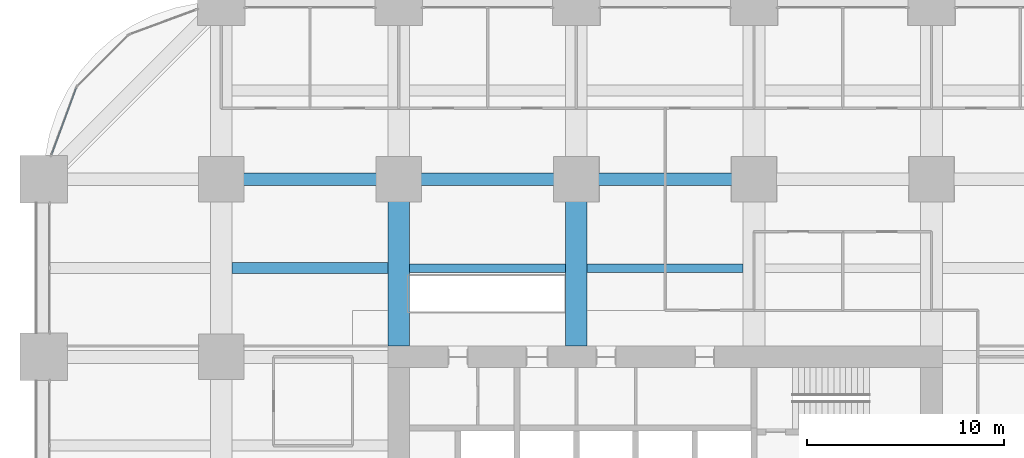
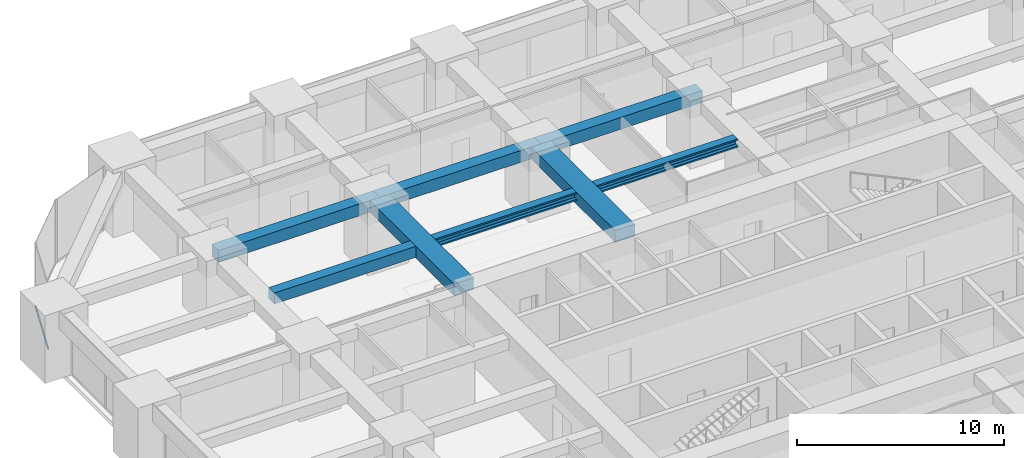
# One storey, part 26 of 44: 8 beams, 1 member, 1 element without a shape of its own.
"""IFC4 building model written with IfcOpenShell, lengths in metres."""

from ifc_helpers import new_model, si_unit, direction, frame, origin, origin_2d, place, context, subcontext, project, spatial, rectangle, hollow_rectangle, i_section, extrude, material, material_profile, profile_set, type_object, element, aggregate, save


model = new_model("IFC4")

# Units and contexts
model_context = context("Model", 3, precision=1e-05, world=origin(), true_north=direction((0.0, 1.0)))
body_context = subcontext(model_context, "Body", "Model", "MODEL_VIEW")
ifc_project = project(units=[si_unit("LENGTHUNIT", "METRE"), si_unit("AREAUNIT", "SQUARE_METRE"), si_unit("VOLUMEUNIT", "CUBIC_METRE"), si_unit("PLANEANGLEUNIT", "RADIAN"), si_unit("MASSUNIT", "GRAM", prefix="KILO")], contexts=[model_context])

# Site, building, storey
site_placement = place(None, origin())
site = spatial("IfcSite", under=ifc_project, at=site_placement, CompositionType="ELEMENT")
building_placement = place(site_placement, origin())
building = spatial("IfcBuilding", under=site, at=building_placement, Name="Zorevar Civic Tower", CompositionType="ELEMENT")
storey_placement = place(building_placement, frame((0.0, 0.0, 43.800048828125)))
storey = spatial("IfcBuildingStorey", under=building, at=storey_placement, Name="L10", CompositionType="ELEMENT", Elevation=43.800048828125)

# Beams
ifc_material_1 = material(Name="Concrete C50/60", Category="concrete")
ifc_material_profile_1 = material_profile(ifc_material_1, rectangle(XDim=1.10009765625, YDim=0.699951171875, at=origin_2d()), Name="RC 1100x700")
ifc_profile_set_1 = profile_set([ifc_material_profile_1], Name="Concrete C50/60")
beam_type_1 = type_object("IfcBeamType", Name="Beam RC 1100x700", PredefinedType="BEAM", material=ifc_profile_set_1)
for number, where, z_axis, x_axis, name in (
    (1, (18.0, 36.550048828125, 3.39990234375), (0.0, 1.0, 0.0), (-1.0, 0.0, 0.0), "Girder L11"),
    (2, (27.0, 36.550048828125, 3.39990234375), (0.0, 1.0, 0.0), (-1.0, 0.0, 0.0), "Girder L11"),
):
    element("IfcBeam", number, at=place(storey_placement, frame(where, z_axis=z_axis, x_axis=x_axis)), inside=storey, type_object=beam_type_1, Name=name, PredefinedType="BEAM", context=body_context, shape_type="SweptSolid", body=[
        extrude(rectangle(XDim=1.10009765625, YDim=0.699951171875, at=origin_2d()), origin(), (0.0, 0.0, 1.0), 8.449951171875),
    ])
ifc_material_2 = material(Name="Concrete C50/60", Category="concrete")
ifc_material_profile_2 = material_profile(ifc_material_2, rectangle(XDim=0.550048828125, YDim=0.64990234375, at=origin_2d()), Name="RC 550x650")
ifc_profile_set_2 = profile_set([ifc_material_profile_2], Name="Concrete C50/60")
beam_type_2 = type_object("IfcBeamType", Name="Beam RC 550x650", PredefinedType="BEAM", material=ifc_profile_set_2)
beam_placement = place(storey_placement, frame((9.550048828125, 40.5, 3.425048828125), z_axis=(1.0, 0.0, 0.0), x_axis=(0.0, 1.0, 0.0)))
element("IfcBeam", 3, at=beam_placement, inside=storey, type_object=beam_type_2, Name="Secondary beam L11", PredefinedType="BEAM", context=body_context, shape_type="SweptSolid", body=[
    extrude(rectangle(XDim=0.550048828125, YDim=0.64990234375, at=origin_2d()), origin(), (0.0, 0.0, 1.0), 7.89990234375),
])
ifc_material_3 = material(Name="Concrete C50/60", Category="concrete")
ifc_material_profile_3 = material_profile(ifc_material_3, rectangle(XDim=0.64990234375, YDim=0.699951171875, at=origin_2d()), Name="RC 650x700")
ifc_profile_set_3 = profile_set([ifc_material_profile_3], Name="Concrete C50/60")
beam_type_3 = type_object("IfcBeamType", Name="Beam RC 650x700", PredefinedType="BEAM", material=ifc_profile_set_3)
for number, where, z_axis, x_axis, name in (
    (4, (9.0, 45.0, 3.39990234375), (1.0, 0.0, 0.0), (0.0, 1.0, 0.0), "Girder L11"),
    (5, (18.0, 45.0, 3.39990234375), (1.0, 0.0, 0.0), (0.0, 1.0, 0.0), "Girder L11"),
    (6, (27.0, 45.0, 3.39990234375), (1.0, 0.0, 0.0), (0.0, 1.0, 0.0), "Girder L11"),
):
    element("IfcBeam", number, at=place(storey_placement, frame(where, z_axis=z_axis, x_axis=x_axis)), inside=storey, type_object=beam_type_3, Name=name, PredefinedType="BEAM", context=body_context, shape_type="SweptSolid", body=[
        extrude(rectangle(XDim=0.64990234375, YDim=0.699951171875, at=origin_2d()), origin(), (0.0, 0.0, 1.0), 9.0),
    ])

# Curtain wall, member
ifc_material_4 = material(Name="Dark grey solar-control glass in black aluminium frame", Category="aluminium")
curtain_wall_type = type_object("IfcCurtainWallType", Name="Curtain wall CW2 low zone", PredefinedType="NOTDEFINED", material=ifc_material_4)
curtain_wall_placement = place(storey_placement, origin())
curtain_wall = element("IfcCurtainWall", 7, at=curtain_wall_placement, inside=storey, type_object=curtain_wall_type, Name="CW2 L10", PredefinedType="NOTDEFINED")
ifc_material_5 = material(Name="Aluminium, black anodised", Category="aluminium")
ifc_material_profile_4 = material_profile(ifc_material_5, hollow_rectangle(XDim=0.06005859375, YDim=0.14990234375, WallThickness=0.00390625, at=origin_2d()), Name="AL 150x60x4")
ifc_profile_set_4 = profile_set([ifc_material_profile_4], Name="Aluminium, black anodised")
member_type = type_object("IfcMemberType", Name="CW2 transom AL 150x60x4", PredefinedType="USERDEFINED", material=ifc_profile_set_4)
member_placement = place(storey_placement, frame((1.6533203125, 49.636474609375, 0.030029296875), z_axis=(-0.346672169799, -0.93798635741, 0.0), x_axis=(0.93798635741, -0.346672169799, 0.0)))
member = element("IfcMember", 8, at=member_placement, type_object=member_type, Name="CW2 sill transom", ObjectType="TRANSOM", PredefinedType="USERDEFINED", context=body_context, shape_type="SweptSolid", body=[
    extrude(hollow_rectangle(XDim=0.06005859375, YDim=0.14990234375, WallThickness=0.00390625, at=origin_2d()), origin(), (0.0, 0.0, 1.0), 3.603515625),
])
aggregate(curtain_wall, [member])

# Beams
ifc_material_6 = material(Name="Steel S460M (HISTAR 460)", Category="steel")
ifc_material_profile_5 = material_profile(ifc_material_6, i_section(OverallWidth=0.431884765625, OverallDepth=0.498046875, WebThickness=0.0556640625, FlangeThickness=0.0888671875, FilletRadius=0.014892578125, at=origin_2d()), Name="HD 400x744")
ifc_profile_set_5 = profile_set([ifc_material_profile_5], Name="Steel S460M (HISTAR 460)")
beam_type_4 = type_object("IfcBeamType", Name="Core bay beam HD 400x744", PredefinedType="BEAM", material=ifc_profile_set_5)
for number, where, z_axis, x_axis, name in (
    (9, (18.550048828125, 40.5, 3.5009765625), (1.0, 0.0, 0.0), (0.0, 1.0, 0.0), "Secondary beam L11"),
    (10, (27.550048828125, 40.5, 3.5009765625), (1.0, 0.0, 0.0), (0.0, 1.0, 0.0), "Secondary beam L11"),
):
    element("IfcBeam", number, at=place(storey_placement, frame(where, z_axis=z_axis, x_axis=x_axis)), inside=storey, type_object=beam_type_4, Name=name, PredefinedType="BEAM", context=body_context, shape_type="SweptSolid", body=[
        extrude(i_section(OverallWidth=0.431884765625, OverallDepth=0.498046875, WebThickness=0.0556640625, FlangeThickness=0.0888671875, FilletRadius=0.014892578125, at=origin_2d()), origin(), (0.0, 0.0, 1.0), 7.89990234375),
    ])

save(model, "model.ifc")
